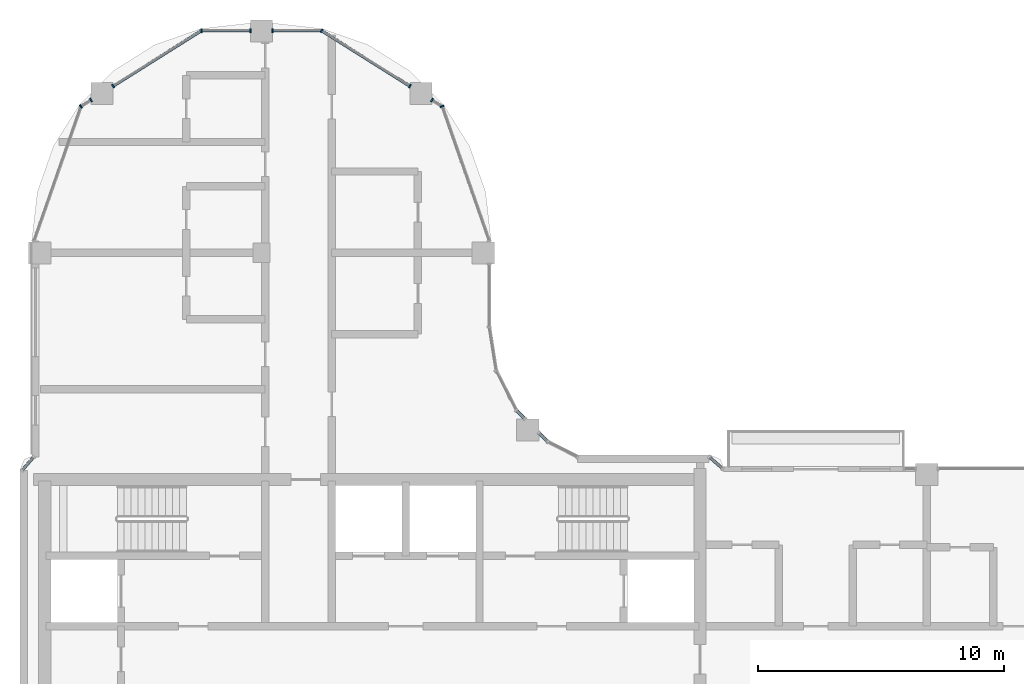
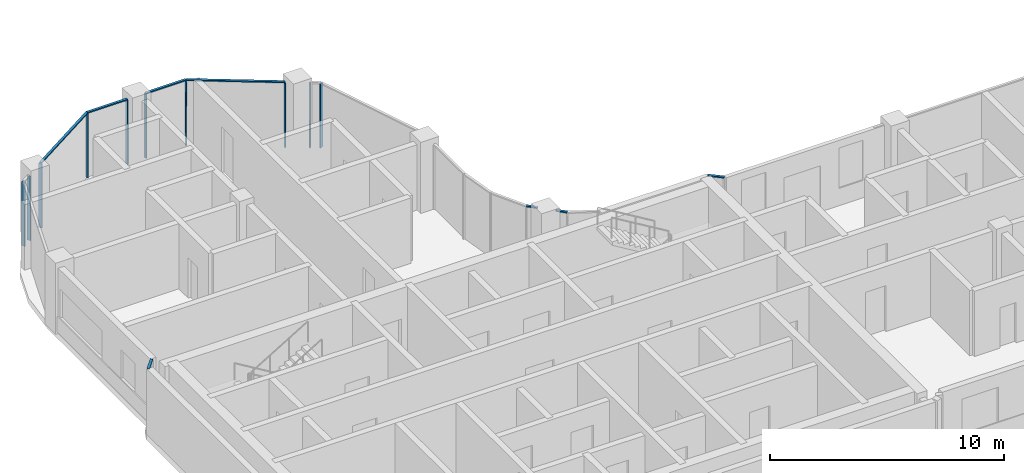
# One storey, part 4 of 19: 18 members, 8 elements without a shape of their own.
"""IFC4 building model written with IfcOpenShell, lengths in metres."""

from ifc_helpers import new_model, si_unit, direction, frame, origin, origin_2d, place, context, subcontext, project, spatial, rectangle, extrude, material, material_profile, profile_set, type_object, element, aggregate, save


model = new_model("IFC4")

# Units and contexts
model_context = context("Model", 3, precision=1e-05, world=origin(), true_north=direction((0.0, 1.0)))
body_context = subcontext(model_context, "Body", "Model", "MODEL_VIEW")
ifc_project = project(units=[si_unit("LENGTHUNIT", "METRE"), si_unit("AREAUNIT", "SQUARE_METRE"), si_unit("VOLUMEUNIT", "CUBIC_METRE"), si_unit("PLANEANGLEUNIT", "RADIAN"), si_unit("MASSUNIT", "GRAM", prefix="KILO")], contexts=[model_context])

# Site, building, storey
site_placement = place(None, origin())
site = spatial("IfcSite", under=ifc_project, at=site_placement, CompositionType="ELEMENT")
building_placement = place(site_placement, origin())
building = spatial("IfcBuilding", under=site, at=building_placement, Name="Ogive Portal Towers", CompositionType="ELEMENT")
storey_placement = place(building_placement, frame((0.0, 0.0, 218.0)))
storey = spatial("IfcBuildingStorey", under=building, at=storey_placement, Name="L54", CompositionType="ELEMENT", Elevation=218.0)

# Curtain wall, members
ifc_material_1 = material(Name="Glass, clear low-iron insulated glazing", Category="glass")
curtain_wall_type = type_object("IfcCurtainWallType", Name="CW FRONT RIBBON 4500", PredefinedType="NOTDEFINED", material=ifc_material_1)
curtain_wall_1_placement = place(storey_placement, origin())
curtain_wall_1 = element("IfcCurtainWall", 1, at=curtain_wall_1_placement, inside=storey, type_object=curtain_wall_type, Name="A:L54:f07:cwa~0", PredefinedType="NOTDEFINED")
ifc_material_2 = material(Name="Aluminium 6063 anodised", Category="aluminium")
ifc_material_profile_1 = material_profile(ifc_material_2, rectangle(XDim=0.159912109375, YDim=0.06005859375, at=origin_2d()), Name="AL 60x160")
ifc_profile_set_1 = profile_set([ifc_material_profile_1], Name="Aluminium 6063 anodised")
member_type_1 = type_object("IfcMemberType", Name="CW MULLION 60x160", PredefinedType="MULLION", material=ifc_profile_set_1)
member_1_placement = place(storey_placement, frame((47.82958984375, 54.4462890625, 0.0), z_axis=(0.0, 0.0, 1.0), x_axis=(-0.943883330307, -0.33027906196, 0.0)))
member_1 = element("IfcMember", 2, at=member_1_placement, type_object=member_type_1, Name="mullion", PredefinedType="MULLION", context=body_context, shape_type="SweptSolid", body=[
    extrude(rectangle(XDim=0.159912109375, YDim=0.06005859375, at=origin_2d()), origin(), (0.0, 0.0, 1.0), 3.340087890625),
])
member_2_placement = place(storey_placement, frame((47.423095703125, 54.70166015625, 0.0), z_axis=(0.0, 0.0, 1.0), x_axis=(-0.532032076517, -0.846724199227, 0.0)))
member_2 = element("IfcMember", 3, at=member_2_placement, type_object=member_type_1, Name="mullion", PredefinedType="MULLION", context=body_context, shape_type="SweptSolid", body=[
    extrude(rectangle(XDim=0.159912109375, YDim=0.06005859375, at=origin_2d()), origin(), (0.0, 0.0, 1.0), 3.340087890625),
])
aggregate(curtain_wall_1, [member_1, member_2])

curtain_wall_2_placement = place(storey_placement, origin())
curtain_wall_2 = element("IfcCurtainWall", 4, at=curtain_wall_2_placement, inside=storey, type_object=curtain_wall_type, Name="A:L54:f07:cwa~1", PredefinedType="NOTDEFINED")
member_3_placement = place(storey_placement, frame((46.52294921875, 55.267333984375, 0.0), z_axis=(0.0, 0.0, 1.0), x_axis=(-0.532032076517, -0.846724199227, 0.0)))
member_3 = element("IfcMember", 5, at=member_3_placement, type_object=member_type_1, Name="mullion", PredefinedType="MULLION", context=body_context, shape_type="SweptSolid", body=[
    extrude(rectangle(XDim=0.159912109375, YDim=0.06005859375, at=origin_2d()), origin(), (0.0, 0.0, 1.0), 3.340087890625),
])
member_4_placement = place(storey_placement, frame((42.939697265625, 57.518798828125, 0.0), z_axis=(0.0, 0.0, 1.0), x_axis=(-0.532032076517, -0.846724199227, 0.0)))
member_4 = element("IfcMember", 6, at=member_4_placement, type_object=member_type_1, Name="mullion", PredefinedType="MULLION", context=body_context, shape_type="SweptSolid", body=[
    extrude(rectangle(XDim=0.159912109375, YDim=0.06005859375, at=origin_2d()), origin(), (0.0, 0.0, 1.0), 3.340087890625),
])
member_5_placement = place(storey_placement, frame((40.949951171875, 57.518798828125, 0.0), z_axis=(0.0, 0.0, 1.0), x_axis=(0.0, -1.0, 0.0)))
member_5 = element("IfcMember", 7, at=member_5_placement, type_object=member_type_1, Name="mullion", PredefinedType="MULLION", context=body_context, shape_type="SweptSolid", body=[
    extrude(rectangle(XDim=0.159912109375, YDim=0.06005859375, at=origin_2d()), origin(), (0.0, 0.0, 1.0), 3.340087890625),
])

curtain_wall_3_placement = place(storey_placement, origin())
curtain_wall_3 = element("IfcCurtainWall", 8, at=curtain_wall_3_placement, inside=storey, type_object=curtain_wall_type, Name="A:L54:f07:cwa~2", PredefinedType="NOTDEFINED")
member_6_placement = place(storey_placement, frame((40.050048828125, 57.518798828125, 0.0), z_axis=(0.0, 0.0, 1.0), x_axis=(0.0, -1.0, 0.0)))
member_6 = element("IfcMember", 9, at=member_6_placement, type_object=member_type_1, Name="mullion", PredefinedType="MULLION", context=body_context, shape_type="SweptSolid", body=[
    extrude(rectangle(XDim=0.159912109375, YDim=0.06005859375, at=origin_2d()), origin(), (0.0, 0.0, 1.0), 3.340087890625),
])
member_7_placement = place(storey_placement, frame((38.060302734375, 57.518798828125, 0.0), z_axis=(0.0, 0.0, 1.0), x_axis=(0.0, -1.0, 0.0)))
member_7 = element("IfcMember", 10, at=member_7_placement, type_object=member_type_1, Name="mullion", PredefinedType="MULLION", context=body_context, shape_type="SweptSolid", body=[
    extrude(rectangle(XDim=0.159912109375, YDim=0.06005859375, at=origin_2d()), origin(), (0.0, 0.0, 1.0), 3.340087890625),
])
member_8_placement = place(storey_placement, frame((34.47705078125, 55.267333984375, 0.0), z_axis=(0.0, 0.0, 1.0), x_axis=(0.532032076517, -0.846724199227, 0.0)))
member_8 = element("IfcMember", 11, at=member_8_placement, type_object=member_type_1, Name="mullion", PredefinedType="MULLION", context=body_context, shape_type="SweptSolid", body=[
    extrude(rectangle(XDim=0.159912109375, YDim=0.06005859375, at=origin_2d()), origin(), (0.0, 0.0, 1.0), 3.340087890625),
])

curtain_wall_4_placement = place(storey_placement, origin())
curtain_wall_4 = element("IfcCurtainWall", 12, at=curtain_wall_4_placement, inside=storey, type_object=curtain_wall_type, Name="A:L54:f07:cwa~3", PredefinedType="NOTDEFINED")
member_9_placement = place(storey_placement, frame((33.576904296875, 54.70166015625, 0.0), z_axis=(0.0, 0.0, 1.0), x_axis=(0.532032076517, -0.846724199227, 0.0)))
member_9 = element("IfcMember", 13, at=member_9_placement, type_object=member_type_1, Name="mullion", PredefinedType="MULLION", context=body_context, shape_type="SweptSolid", body=[
    extrude(rectangle(XDim=0.159912109375, YDim=0.06005859375, at=origin_2d()), origin(), (0.0, 0.0, 1.0), 3.340087890625),
])
member_10_placement = place(storey_placement, frame((33.17041015625, 54.4462890625, 0.0), z_axis=(0.0, 0.0, 1.0), x_axis=(0.532032076517, -0.846724199227, 0.0)))
member_10 = element("IfcMember", 14, at=member_10_placement, type_object=member_type_1, Name="mullion", PredefinedType="MULLION", context=body_context, shape_type="SweptSolid", body=[
    extrude(rectangle(XDim=0.159912109375, YDim=0.06005859375, at=origin_2d()), origin(), (0.0, 0.0, 1.0), 3.340087890625),
])
aggregate(curtain_wall_4, [member_9, member_10])

# Curtain wall, member
curtain_wall_5_placement = place(storey_placement, origin())
curtain_wall_5 = element("IfcCurtainWall", 15, at=curtain_wall_5_placement, inside=storey, type_object=curtain_wall_type, Name="A:L54:f00:cwa", PredefinedType="NOTDEFINED")
ifc_material_profile_2 = material_profile(ifc_material_2, rectangle(XDim=0.1201171875, YDim=0.06005859375, at=origin_2d()), Name="AL 120x60")
ifc_profile_set_2 = profile_set([ifc_material_profile_2], Name="Aluminium 6063 anodised")
member_type_2 = type_object("IfcMemberType", Name="CW TRANSOM 60x120", PredefinedType="USERDEFINED", material=ifc_profile_set_2)
member_11_placement = place(storey_placement, frame((59.22021484375, 39.739990234375, 3.3701171875), z_axis=(-0.753611342808, 0.657320275049, 0.0), x_axis=(-0.657320275049, -0.753611342808, 0.0)))
member_11 = element("IfcMember", 16, at=member_11_placement, type_object=member_type_2, Name="transom", ObjectType="TRANSOM", PredefinedType="USERDEFINED", context=body_context, shape_type="SweptSolid", body=[
    extrude(rectangle(XDim=0.1201171875, YDim=0.06005859375, at=origin_2d()), origin(), (0.0, 0.0, 1.0), 0.730224609375),
])
aggregate(curtain_wall_5, [member_11])

curtain_wall_6_placement = place(storey_placement, origin())
curtain_wall_6 = element("IfcCurtainWall", 17, at=curtain_wall_6_placement, inside=storey, type_object=curtain_wall_type, Name="A:L54:f02:cwa~0", PredefinedType="NOTDEFINED")
member_12_placement = place(storey_placement, frame((52.11376953125, 40.83935546875, 3.3701171875), z_axis=(-0.707106781187, 0.707106781187, 0.0), x_axis=(-0.707106781187, -0.707106781187, 0.0)))
member_12 = element("IfcMember", 18, at=member_12_placement, type_object=member_type_2, Name="transom", ObjectType="TRANSOM", PredefinedType="USERDEFINED", context=body_context, shape_type="SweptSolid", body=[
    extrude(rectangle(XDim=0.1201171875, YDim=0.06005859375, at=origin_2d()), origin(), (0.0, 0.0, 1.0), 0.500244140625),
])
aggregate(curtain_wall_6, [member_12])

curtain_wall_7_placement = place(storey_placement, origin())
curtain_wall_7 = element("IfcCurtainWall", 19, at=curtain_wall_7_placement, inside=storey, type_object=curtain_wall_type, Name="A:L54:f02:cwa~1", PredefinedType="NOTDEFINED")
member_13_placement = place(storey_placement, frame((51.193115234375, 41.760009765625, 3.3701171875), z_axis=(-0.707106781187, 0.707106781187, 0.0), x_axis=(-0.707106781187, -0.707106781187, 0.0)))
member_13 = element("IfcMember", 20, at=member_13_placement, type_object=member_type_2, Name="transom", ObjectType="TRANSOM", PredefinedType="USERDEFINED", context=body_context, shape_type="SweptSolid", body=[
    extrude(rectangle(XDim=0.1201171875, YDim=0.06005859375, at=origin_2d()), origin(), (0.0, 0.0, 1.0), 0.500244140625),
])
aggregate(curtain_wall_7, [member_13])

# Member
member_14_placement = place(storey_placement, frame((46.52294921875, 55.267333984375, 3.3701171875), z_axis=(-0.846728625852, 0.532025031519, 0.0), x_axis=(-0.532025031519, -0.846728625852, 0.0)))
member_14 = element("IfcMember", 21, at=member_14_placement, type_object=member_type_2, Name="transom", ObjectType="TRANSOM", PredefinedType="USERDEFINED", context=body_context, shape_type="SweptSolid", body=[
    extrude(rectangle(XDim=0.1201171875, YDim=0.06005859375, at=origin_2d()), origin(), (0.0, 0.0, 1.0), 4.23193359375),
])

member_15_placement = place(storey_placement, frame((42.939697265625, 57.518798828125, 3.3701171875), z_axis=(-1.0, 0.0, 0.0), x_axis=(0.0, -1.0, 0.0)))
member_15 = element("IfcMember", 22, at=member_15_placement, type_object=member_type_2, Name="transom", ObjectType="TRANSOM", PredefinedType="USERDEFINED", context=body_context, shape_type="SweptSolid", body=[
    extrude(rectangle(XDim=0.1201171875, YDim=0.06005859375, at=origin_2d()), origin(), (0.0, 0.0, 1.0), 1.98974609375),
])

aggregate(curtain_wall_2, [member_14, member_15, member_3, member_4, member_5])

member_16_placement = place(storey_placement, frame((40.050048828125, 57.518798828125, 3.3701171875), z_axis=(-1.0, 0.0, 0.0), x_axis=(0.0, -1.0, 0.0)))
member_16 = element("IfcMember", 23, at=member_16_placement, type_object=member_type_2, Name="transom", ObjectType="TRANSOM", PredefinedType="USERDEFINED", context=body_context, shape_type="SweptSolid", body=[
    extrude(rectangle(XDim=0.1201171875, YDim=0.06005859375, at=origin_2d()), origin(), (0.0, 0.0, 1.0), 1.98974609375),
])

member_17_placement = place(storey_placement, frame((38.060302734375, 57.518798828125, 3.3701171875), z_axis=(-0.846728625852, -0.532025031519, 0.0), x_axis=(0.532025031519, -0.846728625852, 0.0)))
member_17 = element("IfcMember", 24, at=member_17_placement, type_object=member_type_2, Name="transom", ObjectType="TRANSOM", PredefinedType="USERDEFINED", context=body_context, shape_type="SweptSolid", body=[
    extrude(rectangle(XDim=0.1201171875, YDim=0.06005859375, at=origin_2d()), origin(), (0.0, 0.0, 1.0), 4.23193359375),
])

aggregate(curtain_wall_3, [member_16, member_17, member_6, member_7, member_8])

# Curtain wall, member
curtain_wall_8_placement = place(storey_placement, origin())
curtain_wall_8 = element("IfcCurtainWall", 25, at=curtain_wall_8_placement, inside=storey, type_object=curtain_wall_type, Name="A:L54:f13:cwa", PredefinedType="NOTDEFINED")
member_18_placement = place(storey_placement, frame((31.260009765625, 40.22021484375, 3.3701171875), z_axis=(-0.657320275049, -0.753611342808, 0.0), x_axis=(0.753611342808, -0.657320275049, 0.0)))
member_18 = element("IfcMember", 26, at=member_18_placement, type_object=member_type_2, Name="transom", ObjectType="TRANSOM", PredefinedType="USERDEFINED", context=body_context, shape_type="SweptSolid", body=[
    extrude(rectangle(XDim=0.1201171875, YDim=0.06005859375, at=origin_2d()), origin(), (0.0, 0.0, 1.0), 0.730224609375),
])
aggregate(curtain_wall_8, [member_18])

save(model, "model.ifc")
